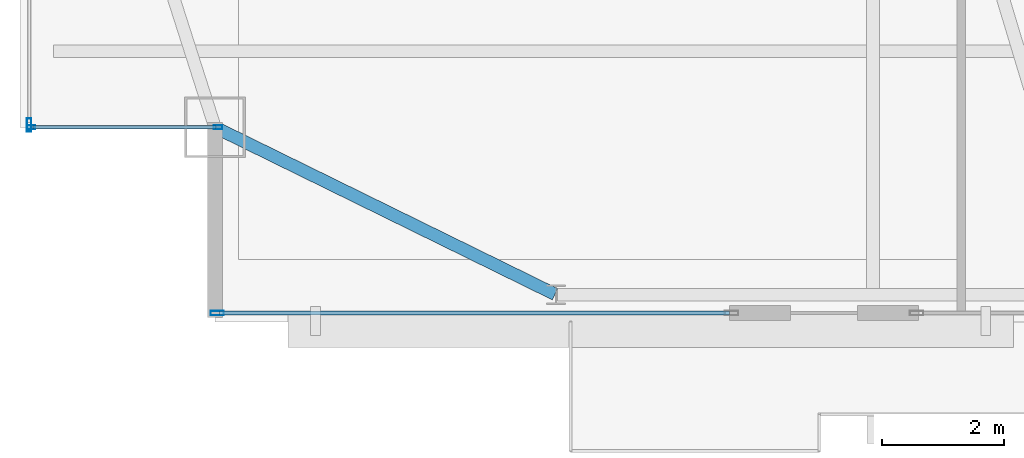
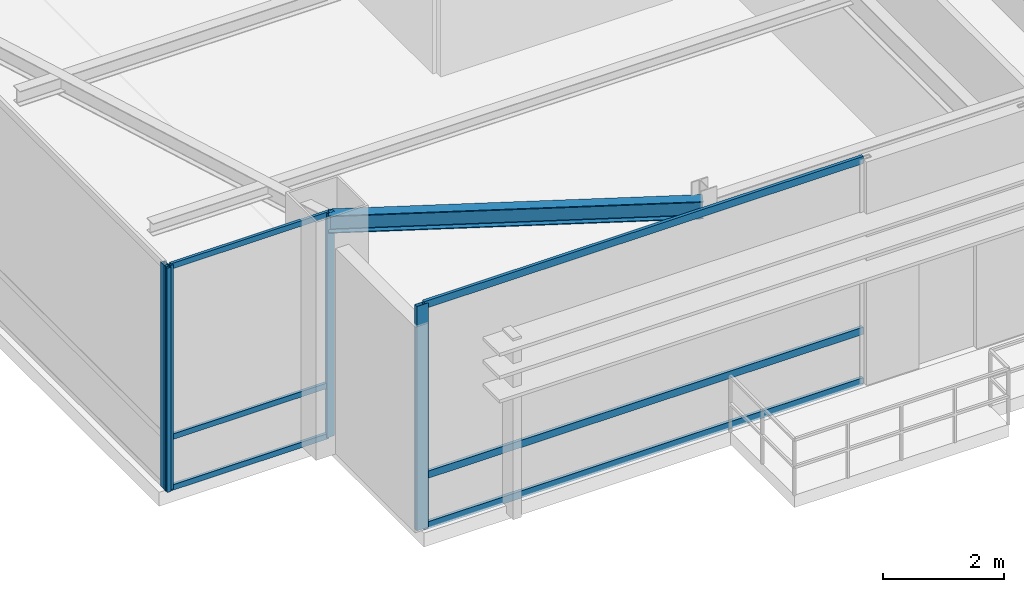
# One storey, part 3 of 22: 10 members, 1 beam, 3 elements without a shape of their own.
"""IFC4 building model written with IfcOpenShell, lengths in metres."""

from ifc_helpers import new_model, si_unit, direction, frame, origin, origin_2d, place, context, subcontext, project, spatial, hollow_rectangle, i_section, extrude, source, transform, mapped, material, layer, layer_set, material_profile, profile_set, type_object, type_shapes, element, aggregate, save


model = new_model("IFC4")

# Units and contexts
model_context = context("Model", 3, precision=1e-05, world=origin(), true_north=direction((0.0, 1.0)))
body_context = subcontext(model_context, "Body", "Model", "MODEL_VIEW")
ifc_project = project(units=[si_unit("LENGTHUNIT", "METRE"), si_unit("AREAUNIT", "SQUARE_METRE"), si_unit("VOLUMEUNIT", "CUBIC_METRE"), si_unit("PLANEANGLEUNIT", "RADIAN"), si_unit("MASSUNIT", "GRAM", prefix="KILO")], contexts=[model_context])

# Site, building, storey
site_placement = place(None, origin())
site = spatial("IfcSite", under=ifc_project, at=site_placement, CompositionType="ELEMENT")
building_placement = place(site_placement, origin())
building = spatial("IfcBuilding", under=site, at=building_placement, Name="Varnel Quay Broadcast Tower", CompositionType="ELEMENT")
storey_placement = place(building_placement, frame((0.0, 0.0, 305.0)))
storey = spatial("IfcBuildingStorey", under=building, at=storey_placement, Name="L76", CompositionType="ELEMENT", Elevation=305.0)

# Beam
ifc_material_1 = material(Name="Structural Steel CSA G40.21 350W", Category="steel")
ifc_material_profile_1 = material_profile(ifc_material_1, i_section(OverallWidth=0.205078125, OverallDepth=0.35400390625, WebThickness=0.009521484375, FlangeThickness=0.016845703125, FilletRadius=0.012939453125, at=origin_2d()), Name="W360X79")
ifc_profile_set_1 = profile_set([ifc_material_profile_1], Name="Structural Steel CSA G40.21 350W")
beam_type = type_object("IfcBeamType", Name="Beam_W360X79", PredefinedType="SPANDREL", material=ifc_profile_set_1)
shared_shape_1 = source(origin(), body_context, "Body", "SweptSolid", [
    extrude(i_section(OverallWidth=0.205078125, OverallDepth=0.35400390625, WebThickness=0.009521484375, FlangeThickness=0.016845703125, FilletRadius=0.012939453125, at=origin_2d()), origin(), (0.0, 0.0, 1.0), 6.19873046875),
])
type_shapes(beam_type, [shared_shape_1])
beam_placement = place(storey_placement, frame((15.218017578125, 16.39111328125, 4.343017578125), z_axis=(0.897602447358, -0.440805905697, 0.0), x_axis=(0.440805905697, 0.897602447358, 0.0)))
element("IfcBeam", 1, at=beam_placement, inside=storey, type_object=beam_type, Name="L76 South Spandrel MC-SW-TC-S1", PredefinedType="SPANDREL", context=body_context, shape_type="MappedRepresentation", body=[
    mapped(shared_shape_1, transform((0.0, 0.0, 0.0), x_axis=(1.0, 0.0, 0.0), y_axis=(0.0, 1.0, 0.0), z_axis=(0.0, 0.0, 1.0), scale=1.0)),
])

# Curtain wall, members
ifc_material_2 = material(Name="Anodised Bronze Aluminium 6063-T6", Category="aluminium")
ifc_layer_1 = layer(ifc_material_2, 0.18994140625, Name="Anodised Bronze Aluminium 6063-T6")
ifc_layer_set_1 = layer_set([ifc_layer_1], Name="Anodised Bronze Aluminium 6063-T6")
curtain_wall_type_1 = type_object("IfcCurtainWallType", Name="CW_NotchCorner", PredefinedType="NOTDEFINED", material=ifc_layer_set_1)
curtain_wall_1_placement = place(storey_placement, origin())
curtain_wall_1 = element("IfcCurtainWall", 2, at=curtain_wall_1_placement, inside=storey, type_object=curtain_wall_type_1, Name="L76 SW Notch Curtain Wall", PredefinedType="NOTDEFINED")
ifc_material_profile_2 = material_profile(ifc_material_2, hollow_rectangle(XDim=0.054931640625, YDim=0.110107421875, WallThickness=0.0029296875, at=origin_2d()), Name="ALU55X110X3")
ifc_profile_set_2 = profile_set([ifc_material_profile_2], Name="Anodised Bronze Aluminium 6063-T6")
member_type_1 = type_object("IfcMemberType", Name="Tran_CWS-04", PredefinedType="USERDEFINED", material=ifc_profile_set_2)
shared_shape_2 = source(origin(), body_context, "Body", "SweptSolid", [
    extrude(hollow_rectangle(XDim=0.054931640625, YDim=0.110107421875, WallThickness=0.0029296875, at=origin_2d()), origin(), (0.0, 0.0, 1.0), 3.010009765625),
])
type_shapes(member_type_1, [shared_shape_2])
member_1_placement = place(storey_placement, frame((12.2099609375, 16.39990234375, 0.027587890625), z_axis=(1.0, 0.0, 0.0), x_axis=(0.0, 1.0, 0.0)))
member_1 = element("IfcMember", 3, at=member_1_placement, type_object=member_type_1, Name="CWS-04 transom 1.1", ObjectType="TRANSOM", PredefinedType="USERDEFINED", context=body_context, shape_type="MappedRepresentation", body=[
    mapped(shared_shape_2, transform((0.0, 0.0, 0.0), x_axis=(1.0, 0.0, 0.0), y_axis=(0.0, 1.0, 0.0), z_axis=(0.0, 0.0, 1.0), scale=1.0)),
])
member_2_placement = place(storey_placement, frame((12.2099609375, 16.39990234375, 1.050048828125), z_axis=(1.0, 0.0, 0.0), x_axis=(0.0, 1.0, 0.0)))
member_2 = element("IfcMember", 4, at=member_2_placement, type_object=member_type_1, Name="CWS-04 transom 1.2", ObjectType="TRANSOM", PredefinedType="USERDEFINED", context=body_context, shape_type="MappedRepresentation", body=[
    mapped(shared_shape_2, transform((0.0, 0.0, 0.0), x_axis=(1.0, 0.0, 0.0), y_axis=(0.0, 1.0, 0.0), z_axis=(0.0, 0.0, 1.0), scale=1.0)),
])
member_3_placement = place(storey_placement, frame((12.2099609375, 16.39990234375, 4.492431640625), z_axis=(1.0, 0.0, 0.0), x_axis=(0.0, 1.0, 0.0)))
member_3 = element("IfcMember", 5, at=member_3_placement, type_object=member_type_1, Name="CWS-04 transom 1.3", ObjectType="TRANSOM", PredefinedType="USERDEFINED", context=body_context, shape_type="MappedRepresentation", body=[
    mapped(shared_shape_2, transform((0.0, 0.0, 0.0), x_axis=(1.0, 0.0, 0.0), y_axis=(0.0, 1.0, 0.0), z_axis=(0.0, 0.0, 1.0), scale=1.0)),
])

# Curtain wall, member
ifc_layer_2 = layer(ifc_material_2, 0.18994140625, Name="Anodised Bronze Aluminium 6063-T6")
ifc_layer_set_2 = layer_set([ifc_layer_2], Name="Anodised Bronze Aluminium 6063-T6")
curtain_wall_type_2 = type_object("IfcCurtainWallType", Name="CW_SkyObsHighVis", PredefinedType="NOTDEFINED", material=ifc_layer_set_2)
curtain_wall_2_placement = place(storey_placement, origin())
curtain_wall_2 = element("IfcCurtainWall", 6, at=curtain_wall_2_placement, inside=storey, type_object=curtain_wall_type_2, Name="L76 South Unitised Curtain Wall 1", PredefinedType="NOTDEFINED")
ifc_material_profile_3 = material_profile(ifc_material_2, hollow_rectangle(XDim=0.074951171875, YDim=0.219970703125, WallThickness=0.00390625, at=origin_2d()), Name="ALU75X220X4")
ifc_profile_set_3 = profile_set([ifc_material_profile_3], Name="Anodised Bronze Aluminium 6063-T6")
member_type_2 = type_object("IfcMemberType", Name="Mull_CWS-05", PredefinedType="MULLION", material=ifc_profile_set_3)
shared_shape_3 = source(origin(), body_context, "Body", "SweptSolid", [
    extrude(hollow_rectangle(XDim=0.074951171875, YDim=0.219970703125, WallThickness=0.00390625, at=origin_2d()), origin(), (0.0, 0.0, 1.0), 4.52001953125),
])
type_shapes(member_type_2, [shared_shape_3])
member_4_placement = place(storey_placement, frame((15.237548828125, 13.35009765625, 0.0), z_axis=(0.0, 0.0, 1.0), x_axis=(0.0, 1.0, 0.0)))
member_4 = element("IfcMember", 7, at=member_4_placement, type_object=member_type_2, Name="CWS-05 mullion 1", PredefinedType="MULLION", context=body_context, shape_type="MappedRepresentation", body=[
    mapped(shared_shape_3, transform((0.0, 0.0, 0.0), x_axis=(1.0, 0.0, 0.0), y_axis=(0.0, 1.0, 0.0), z_axis=(0.0, 0.0, 1.0), scale=1.0)),
])

curtain_wall_3_placement = place(storey_placement, origin())
curtain_wall_3 = element("IfcCurtainWall", 8, at=curtain_wall_3_placement, inside=storey, type_object=curtain_wall_type_2, Name="L76 West Unitised Curtain Wall", PredefinedType="NOTDEFINED")
member_5_placement = place(storey_placement, frame((12.14990234375, 16.4375, 0.0), z_axis=(0.0, 0.0, 1.0), x_axis=(-1.0, 0.0, 0.0)))
member_5 = element("IfcMember", 9, at=member_5_placement, type_object=member_type_2, Name="CWS-05 mullion 1", PredefinedType="MULLION", context=body_context, shape_type="MappedRepresentation", body=[
    mapped(shared_shape_3, transform((0.0, 0.0, 0.0), x_axis=(1.0, 0.0, 0.0), y_axis=(0.0, 1.0, 0.0), z_axis=(0.0, 0.0, 1.0), scale=1.0)),
])
aggregate(curtain_wall_3, [member_5])

# Member
ifc_material_profile_4 = material_profile(ifc_material_2, hollow_rectangle(XDim=0.06005859375, YDim=0.14501953125, WallThickness=0.00341796875, at=origin_2d()), Name="ALU60X145X3.5")
ifc_profile_set_4 = profile_set([ifc_material_profile_4], Name="Anodised Bronze Aluminium 6063-T6")
member_type_3 = type_object("IfcMemberType", Name="Mull_CWS-04", PredefinedType="MULLION", material=ifc_profile_set_4)
shared_shape_4 = source(origin(), body_context, "Body", "SweptSolid", [
    extrude(hollow_rectangle(XDim=0.06005859375, YDim=0.14501953125, WallThickness=0.00341796875, at=origin_2d()), origin(), (0.0, 0.0, 1.0), 4.52001953125),
])
type_shapes(member_type_3, [shared_shape_4])
member_6_placement = place(storey_placement, frame((12.179931640625, 16.39990234375, 0.0), z_axis=(0.0, 0.0, 1.0), x_axis=(0.0, 1.0, 0.0)))
member_6 = element("IfcMember", 10, at=member_6_placement, type_object=member_type_3, Name="CWS-04 mullion 1", PredefinedType="MULLION", context=body_context, shape_type="MappedRepresentation", body=[
    mapped(shared_shape_4, transform((0.0, 0.0, 0.0), x_axis=(1.0, 0.0, 0.0), y_axis=(0.0, 1.0, 0.0), z_axis=(0.0, 0.0, 1.0), scale=1.0)),
])

member_7_placement = place(storey_placement, frame((15.25, 16.39990234375, 0.0), z_axis=(0.0, 0.0, 1.0), x_axis=(0.0, 1.0, 0.0)))
member_7 = element("IfcMember", 11, at=member_7_placement, type_object=member_type_3, Name="CWS-04 mullion 2", PredefinedType="MULLION", context=body_context, shape_type="MappedRepresentation", body=[
    mapped(shared_shape_4, transform((0.0, 0.0, 0.0), x_axis=(1.0, 0.0, 0.0), y_axis=(0.0, 1.0, 0.0), z_axis=(0.0, 0.0, 1.0), scale=1.0)),
])

aggregate(curtain_wall_1, [member_6, member_7, member_1, member_2, member_3])

ifc_material_profile_5 = material_profile(ifc_material_2, hollow_rectangle(XDim=0.06005859375, YDim=0.14501953125, WallThickness=0.00341796875, at=origin_2d()), Name="ALU60X145X3.5")
ifc_profile_set_5 = profile_set([ifc_material_profile_5], Name="Anodised Bronze Aluminium 6063-T6")
member_type_4 = type_object("IfcMemberType", Name="Tran_CWS-05", PredefinedType="USERDEFINED", material=ifc_profile_set_5)
shared_shape_5 = source(origin(), body_context, "Body", "SweptSolid", [
    extrude(hollow_rectangle(XDim=0.06005859375, YDim=0.14501953125, WallThickness=0.00341796875, at=origin_2d()), origin(), (0.0, 0.0, 1.0), 8.3701171875),
])
type_shapes(member_type_4, [shared_shape_5])
member_8_placement = place(storey_placement, frame((15.27490234375, 13.35009765625, 0.030029296875), z_axis=(1.0, 0.0, 0.0), x_axis=(0.0, 1.0, 0.0)))
member_8 = element("IfcMember", 12, at=member_8_placement, type_object=member_type_4, Name="CWS-05 transom 1.1", ObjectType="TRANSOM", PredefinedType="USERDEFINED", context=body_context, shape_type="MappedRepresentation", body=[
    mapped(shared_shape_5, transform((0.0, 0.0, 0.0), x_axis=(1.0, 0.0, 0.0), y_axis=(0.0, 1.0, 0.0), z_axis=(0.0, 0.0, 1.0), scale=1.0)),
])

member_9_placement = place(storey_placement, frame((15.27490234375, 13.35009765625, 1.050048828125), z_axis=(1.0, 0.0, 0.0), x_axis=(0.0, 1.0, 0.0)))
member_9 = element("IfcMember", 13, at=member_9_placement, type_object=member_type_4, Name="CWS-05 transom 1.2", ObjectType="TRANSOM", PredefinedType="USERDEFINED", context=body_context, shape_type="MappedRepresentation", body=[
    mapped(shared_shape_5, transform((0.0, 0.0, 0.0), x_axis=(1.0, 0.0, 0.0), y_axis=(0.0, 1.0, 0.0), z_axis=(0.0, 0.0, 1.0), scale=1.0)),
])

member_10_placement = place(storey_placement, frame((15.27490234375, 13.35009765625, 4.489990234375), z_axis=(1.0, 0.0, 0.0), x_axis=(0.0, 1.0, 0.0)))
member_10 = element("IfcMember", 14, at=member_10_placement, type_object=member_type_4, Name="CWS-05 transom 1.3", ObjectType="TRANSOM", PredefinedType="USERDEFINED", context=body_context, shape_type="MappedRepresentation", body=[
    mapped(shared_shape_5, transform((0.0, 0.0, 0.0), x_axis=(1.0, 0.0, 0.0), y_axis=(0.0, 1.0, 0.0), z_axis=(0.0, 0.0, 1.0), scale=1.0)),
])

aggregate(curtain_wall_2, [member_4, member_8, member_9, member_10])

save(model, "model.ifc")
